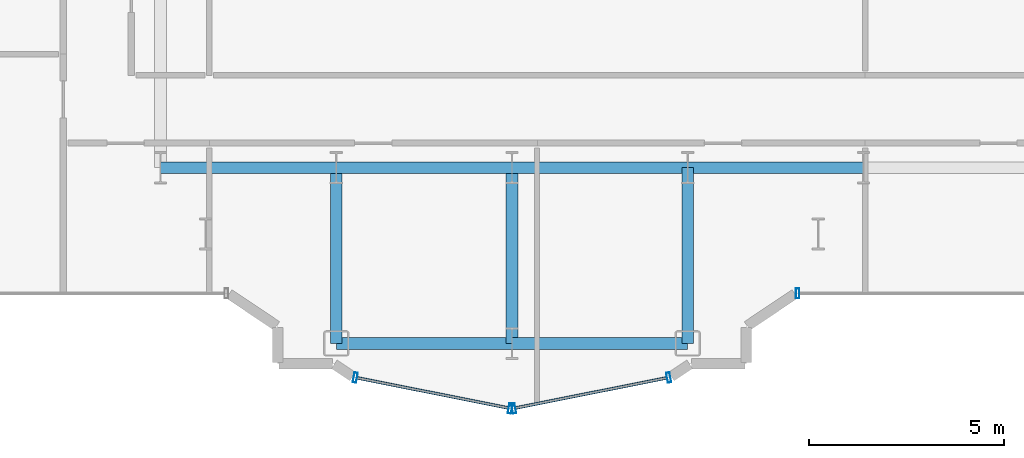
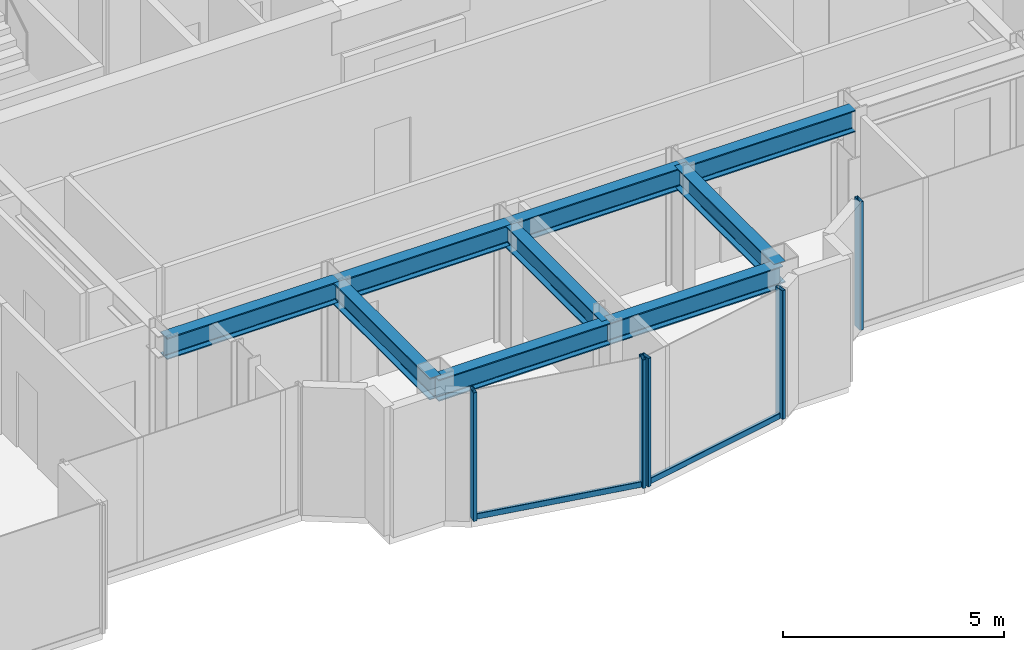
# One storey, part 3 of 21: 9 beams, 7 members, 3 elements without a shape of their own.
"""IFC4 building model written with IfcOpenShell, lengths in metres."""

from ifc_helpers import new_model, si_unit, direction, frame, origin, origin_2d, place, context, subcontext, project, spatial, hollow_rectangle, i_section, extrude, source, transform, mapped, material, layer, layer_set, material_profile, profile_set, type_object, element, aggregate, save


model = new_model("IFC4")

# Units and contexts
model_context = context("Model", 3, precision=1e-05, world=origin(), true_north=direction((0.0, 1.0)))
body_context = subcontext(model_context, "Body", "Model", "MODEL_VIEW")
ifc_project = project(units=[si_unit("LENGTHUNIT", "METRE"), si_unit("AREAUNIT", "SQUARE_METRE"), si_unit("VOLUMEUNIT", "CUBIC_METRE"), si_unit("PLANEANGLEUNIT", "RADIAN"), si_unit("MASSUNIT", "GRAM", prefix="KILO")], contexts=[model_context])

# Site, building, storey
site_placement = place(None, origin())
site = spatial("IfcSite", under=ifc_project, at=site_placement, CompositionType="ELEMENT")
building_placement = place(site_placement, origin())
building = spatial("IfcBuilding", under=site, at=building_placement, Name="Nefas-Gora Pilgrimage Tower", CompositionType="ELEMENT")
storey_placement = place(building_placement, frame((0.0, 0.0, 252.199951171875)))
storey = spatial("IfcBuildingStorey", under=building, at=storey_placement, Name="L63", CompositionType="ELEMENT", Elevation=252.199951171875)

# Beams
ifc_material_1 = material(Name="Steel S355", Category="steel")
ifc_material_profile_1 = material_profile(ifc_material_1, i_section(OverallWidth=0.300048828125, OverallDepth=0.60009765625, WebThickness=0.015380859375, FlangeThickness=0.030029296875, FilletRadius=0.027099609375, at=origin_2d()), Name="HEB 600")
ifc_profile_set_1 = profile_set([ifc_material_profile_1], Name="Steel S355")
beam_type = type_object("IfcBeamType", Name="BM-GIR-HEB600", PredefinedType="BEAM", material=ifc_profile_set_1)
shared_shape_1 = source(origin(), body_context, "Body", "SweptSolid", [
    extrude(i_section(OverallWidth=0.300048828125, OverallDepth=0.60009765625, WebThickness=0.015380859375, FlangeThickness=0.030029296875, FilletRadius=0.027099609375, at=origin_2d()), origin(), (0.0, 0.0, 1.0), 4.5),
])
for number, where, z_axis, x_axis, name in (
    (1, (-11.25, -18.0, 3.25), (1.0, 0.0, 0.0), (0.0, 1.0, 0.0), "L63 G-04 beam"),
    (2, (-6.75, -22.5, 3.25), (0.0, 1.0, 0.0), (-1.0, 0.0, 0.0), "L63 G-04 beam"),
    (3, (-6.75, -22.5, 3.25), (1.0, 0.0, 0.0), (0.0, 1.0, 0.0), "L63 G-04 beam"),
    (4, (-6.75, -18.0, 3.25), (1.0, 0.0, 0.0), (0.0, 1.0, 0.0), "L63 G-04 beam"),
    (5, (-2.25, -22.5, 3.25), (0.0, 1.0, 0.0), (-1.0, 0.0, 0.0), "L63 G-04 beam"),
    (6, (-2.25, -22.5, 3.25), (1.0, 0.0, 0.0), (0.0, 1.0, 0.0), "L63 G-04 beam"),
    (7, (-2.25, -18.0, 3.25), (1.0, 0.0, 0.0), (0.0, 1.0, 0.0), "L63 G-04 beam"),
    (8, (2.25, -22.5, 3.25), (0.0, 1.0, 0.0), (-1.0, 0.0, 0.0), "L63 G-04 beam"),
    (9, (2.25, -18.0, 3.25), (1.0, 0.0, 0.0), (0.0, 1.0, 0.0), "L63 G-04 beam"),
):
    element("IfcBeam", number, at=place(storey_placement, frame(where, z_axis=z_axis, x_axis=x_axis)), inside=storey, type_object=beam_type, Name=name, PredefinedType="BEAM", context=body_context, shape_type="MappedRepresentation", body=[
        mapped(shared_shape_1, transform((0.0, 0.0, 0.0), x_axis=(1.0, 0.0, 0.0), y_axis=(0.0, 1.0, 0.0), z_axis=(0.0, 0.0, 1.0), scale=1.0)),
    ])

# Curtain wall, member
ifc_material_2 = material(Name="Dark ceramic-fritted solar-control aluminium-glass curtain wall", Category="aluminium")
ifc_layer = layer(ifc_material_2, 0.219970703125)
ifc_layer_set = layer_set([ifc_layer], Name="Dark ceramic-fritted solar-control aluminium-glass curtain wall")
curtain_wall_type = type_object("IfcCurtainWallType", Name="CW-SYS-5", PredefinedType="NOTDEFINED", material=ifc_layer_set)
curtain_wall_1_placement = place(storey_placement, origin())
curtain_wall_1 = element("IfcCurtainWall", 10, at=curtain_wall_1_placement, inside=storey, type_object=curtain_wall_type, Name="L63 Unitised Curtain Wall CW5", PredefinedType="NOTDEFINED")
ifc_material_3 = material(Name="Anodised architectural aluminium", Category="aluminium")
ifc_material_profile_2 = material_profile(ifc_material_3, hollow_rectangle(XDim=0.090087890625, YDim=0.260009765625, WallThickness=0.006103515625, InnerFilletRadius=0.006103515625, OuterFilletRadius=0.011962890625, at=origin_2d()), Name="ALU MULLION 90x260")
ifc_profile_set_2 = profile_set([ifc_material_profile_2], Name="Anodised architectural aluminium")
member_type_1 = type_object("IfcMemberType", Name="CWM-MUL-5", PredefinedType="MULLION", material=ifc_profile_set_2)
shared_shape_2 = source(origin(), body_context, "Body", "SweptSolid", [
    extrude(hollow_rectangle(XDim=0.090087890625, YDim=0.260009765625, WallThickness=0.006103515625, InnerFilletRadius=0.006103515625, OuterFilletRadius=0.011962890625, at=origin_2d()), origin(), (0.0, 0.0, 1.0), 3.550048828125),
])
member_1_placement = place(storey_placement, frame((5.06298828125, -21.219970703125, 0.0), z_axis=(0.0, 0.0, 1.0), x_axis=(1.0, 0.0, 0.0)))
member_1 = element("IfcMember", 11, at=member_1_placement, type_object=member_type_1, Name="CW5 Mullion 1", PredefinedType="MULLION", context=body_context, shape_type="MappedRepresentation", body=[
    mapped(shared_shape_2, transform((0.0, 0.0, 0.0), x_axis=(1.0, 0.0, 0.0), y_axis=(0.0, 1.0, 0.0), z_axis=(0.0, 0.0, 1.0), scale=1.0)),
])
aggregate(curtain_wall_1, [member_1])

# Curtain wall, members
curtain_wall_2_placement = place(storey_placement, origin())
curtain_wall_2 = element("IfcCurtainWall", 12, at=curtain_wall_2_placement, inside=storey, type_object=curtain_wall_type, Name="L63 Unitised Curtain Wall CW5", PredefinedType="NOTDEFINED")
member_2_placement = place(storey_placement, frame((-6.26318359375, -23.3740234375, 0.0), z_axis=(0.0, 0.0, 1.0), x_axis=(0.980782896852, -0.195102304554, 0.0)))
member_2 = element("IfcMember", 13, at=member_2_placement, type_object=member_type_1, Name="CW5 Mullion 1", PredefinedType="MULLION", context=body_context, shape_type="MappedRepresentation", body=[
    mapped(shared_shape_2, transform((0.0, 0.0, 0.0), x_axis=(1.0, 0.0, 0.0), y_axis=(0.0, 1.0, 0.0), z_axis=(0.0, 0.0, 1.0), scale=1.0)),
])
member_3_placement = place(storey_placement, frame((-2.294189453125, -24.16357421875, 0.0), z_axis=(0.0, 0.0, 1.0), x_axis=(0.980782896852, -0.195102304554, 0.0)))
member_3 = element("IfcMember", 14, at=member_3_placement, type_object=member_type_1, Name="CW5 Mullion 2", PredefinedType="MULLION", context=body_context, shape_type="MappedRepresentation", body=[
    mapped(shared_shape_2, transform((0.0, 0.0, 0.0), x_axis=(1.0, 0.0, 0.0), y_axis=(0.0, 1.0, 0.0), z_axis=(0.0, 0.0, 1.0), scale=1.0)),
])

curtain_wall_3_placement = place(storey_placement, origin())
curtain_wall_3 = element("IfcCurtainWall", 15, at=curtain_wall_3_placement, inside=storey, type_object=curtain_wall_type, Name="L63 Unitised Curtain Wall CW5", PredefinedType="NOTDEFINED")
member_4_placement = place(storey_placement, frame((-2.205810546875, -24.16357421875, 0.0), z_axis=(0.0, 0.0, 1.0), x_axis=(0.980782896852, 0.195102304554, 0.0)))
member_4 = element("IfcMember", 16, at=member_4_placement, type_object=member_type_1, Name="CW5 Mullion 1", PredefinedType="MULLION", context=body_context, shape_type="MappedRepresentation", body=[
    mapped(shared_shape_2, transform((0.0, 0.0, 0.0), x_axis=(1.0, 0.0, 0.0), y_axis=(0.0, 1.0, 0.0), z_axis=(0.0, 0.0, 1.0), scale=1.0)),
])
member_5_placement = place(storey_placement, frame((1.76318359375, -23.3740234375, 0.0), z_axis=(0.0, 0.0, 1.0), x_axis=(0.980782896852, 0.195102304554, 0.0)))
member_5 = element("IfcMember", 17, at=member_5_placement, type_object=member_type_1, Name="CW5 Mullion 2", PredefinedType="MULLION", context=body_context, shape_type="MappedRepresentation", body=[
    mapped(shared_shape_2, transform((0.0, 0.0, 0.0), x_axis=(1.0, 0.0, 0.0), y_axis=(0.0, 1.0, 0.0), z_axis=(0.0, 0.0, 1.0), scale=1.0)),
])

# Member
ifc_material_profile_3 = material_profile(ifc_material_3, hollow_rectangle(XDim=0.080078125, YDim=0.159912109375, WallThickness=0.00439453125, InnerFilletRadius=0.00439453125, OuterFilletRadius=0.009033203125, at=origin_2d()), Name="ALU TRANSOM 80x160")
ifc_profile_set_3 = profile_set([ifc_material_profile_3], Name="Anodised architectural aluminium")
member_type_2 = type_object("IfcMemberType", Name="CWM-TRN-5", PredefinedType="USERDEFINED", material=ifc_profile_set_3)
shared_shape_3 = source(origin(), body_context, "Body", "SweptSolid", [
    extrude(hollow_rectangle(XDim=0.080078125, YDim=0.159912109375, WallThickness=0.00439453125, InnerFilletRadius=0.00439453125, OuterFilletRadius=0.009033203125, at=origin_2d()), origin(), (0.0, 0.0, 1.0), 3.95654296875),
])
member_6_placement = place(storey_placement, frame((-6.218994140625, -23.3828125, 0.050048828125), z_axis=(0.980781880918, -0.195107411605, 0.0), x_axis=(0.195107411605, 0.980781880918, 0.0)))
member_6 = element("IfcMember", 18, at=member_6_placement, type_object=member_type_2, Name="CW5 Spandrel Transom", ObjectType="TRANSOM", PredefinedType="USERDEFINED", context=body_context, shape_type="MappedRepresentation", body=[
    mapped(shared_shape_3, transform((0.0, 0.0, 0.0), x_axis=(1.0, 0.0, 0.0), y_axis=(0.0, 1.0, 0.0), z_axis=(0.0, 0.0, 1.0), scale=1.0)),
])

aggregate(curtain_wall_2, [member_2, member_3, member_6])

member_7_placement = place(storey_placement, frame((-2.16162109375, -24.15478515625, 0.050048828125), z_axis=(0.980781880918, 0.195107411605, 0.0), x_axis=(-0.195107411605, 0.980781880918, 0.0)))
member_7 = element("IfcMember", 19, at=member_7_placement, type_object=member_type_2, Name="CW5 Spandrel Transom", ObjectType="TRANSOM", PredefinedType="USERDEFINED", context=body_context, shape_type="MappedRepresentation", body=[
    mapped(shared_shape_3, transform((0.0, 0.0, 0.0), x_axis=(1.0, 0.0, 0.0), y_axis=(0.0, 1.0, 0.0), z_axis=(0.0, 0.0, 1.0), scale=1.0)),
])

aggregate(curtain_wall_3, [member_4, member_5, member_7])

save(model, "model.ifc")
